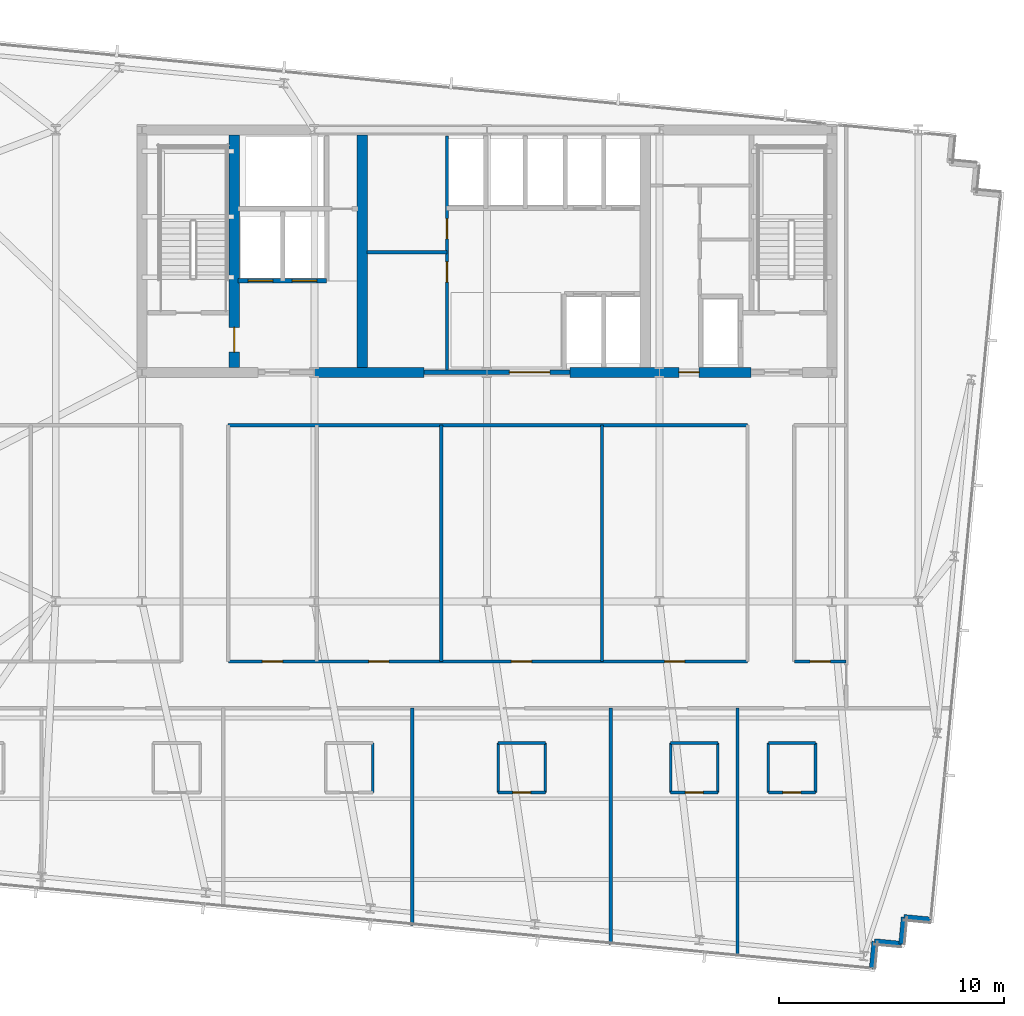
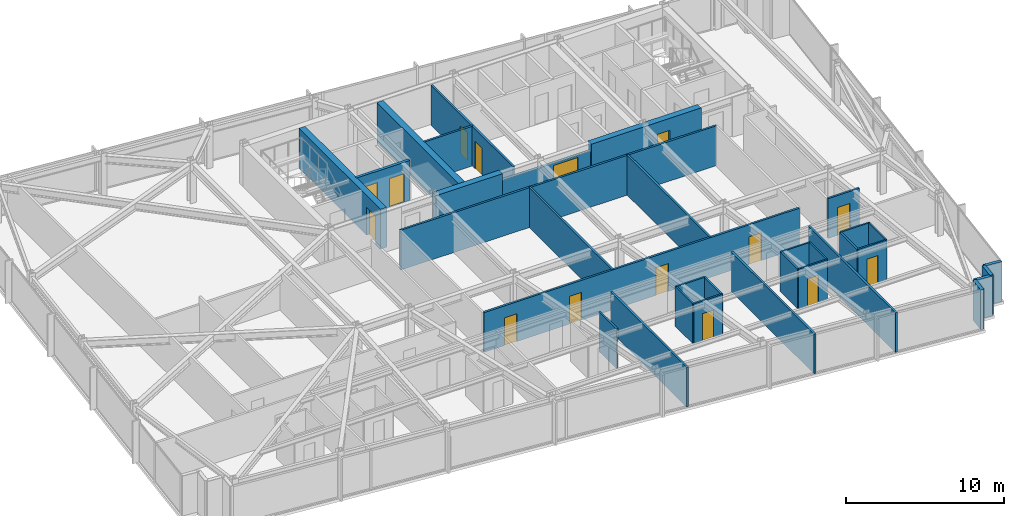
# One storey, part 30 of 38: 33 walls, 15 doors, 15 openings.
"""IFC4 building model written with IfcOpenShell, lengths in metres."""

from ifc_helpers import new_model, si_unit, direction, frame, frame_2d, origin, place, context, subcontext, project, spatial, rectangle, extrude, material, layer, layer_set, type_object, element, fill, save


model = new_model("IFC4")

# Units and contexts
model_context = context("Model", 3, precision=1e-05, world=origin(), true_north=direction((0.0, 1.0)))
body_context = subcontext(model_context, "Body", "Model", "MODEL_VIEW")
ifc_project = project(units=[si_unit("LENGTHUNIT", "METRE"), si_unit("AREAUNIT", "SQUARE_METRE"), si_unit("VOLUMEUNIT", "CUBIC_METRE"), si_unit("PLANEANGLEUNIT", "RADIAN"), si_unit("MASSUNIT", "GRAM", prefix="KILO")], contexts=[model_context])

# Site, building, storey
site_placement = place(None, origin())
site = spatial("IfcSite", under=ifc_project, at=site_placement, CompositionType="ELEMENT")
building_placement = place(site_placement, origin())
building = spatial("IfcBuilding", under=site, at=building_placement, Name="Yelkora Congress Tower", CompositionType="ELEMENT")
storey_placement = place(building_placement, frame((0.0, 0.0, 185.300048828125)))
storey = spatial("IfcBuildingStorey", under=building, at=storey_placement, Name="L51", CompositionType="ELEMENT", Elevation=185.300048828125)

# Wall
ifc_material_1 = material(Name="Concrete C60/75", Category="concrete")
ifc_layer_1 = layer(ifc_material_1, 0.449951171875)
ifc_layer_set_1 = layer_set([ifc_layer_1], Name="Concrete C60/75")
wall_type_1 = type_object("IfcWallType", Name="WALL-CORE-INT-450", PredefinedType="SHEAR", material=ifc_layer_set_1)
wall_1_placement = place(storey_placement, frame((30.719970703125, 35.39990234375, 0.0), z_axis=(0.0, 0.0, 1.0), x_axis=(1.0, 0.0, 0.0)))
element("IfcWall", 1, at=wall_1_placement, inside=storey, type_object=wall_type_1, Name="L51 Rear Core South-Center Shear Pier", PredefinedType="SHEAR", context=body_context, shape_type="SweptSolid", body=[
    extrude(rectangle(XDim=4.880126953125, YDim=0.449951171875, at=frame_2d((2.43994140625, 0.0))), origin(), (0.0, 0.0, 1.0), 3.079833984375),
])

# Wall, opening, door
wall_2_placement = place(storey_placement, frame((42.10009765625, 35.39990234375, 0.0), z_axis=(0.0, 0.0, 1.0), x_axis=(1.0, 0.0, 0.0)))
wall_2 = element("IfcWall", 2, at=wall_2_placement, inside=storey, type_object=wall_type_1, Name="L51 Rear Core South-East Shear Wall A", PredefinedType="SHEAR", context=body_context, shape_type="SweptSolid", body=[
    extrude(rectangle(XDim=8.0498046875, YDim=0.449951171875, at=frame_2d((4.02490234375, 0.0))), origin(), (0.0, 0.0, 1.0), 3.079833984375),
])
opening_1_placement = place(wall_2_placement, frame((4.85009765625, 0.0, 0.0)))
opening_1 = element("IfcOpeningElement", 3, at=opening_1_placement, cuts=wall_2, Name="Opening DR-090F6", PredefinedType="OPENING", context=body_context, shape_type="SweptSolid", body=[
    extrude(rectangle(XDim=0.89990234375, YDim=2.14990234375, at=frame_2d((0.449951171875, 1.074951171875))), frame((0.0, 0.23486328125, 0.0), z_axis=(0.0, -1.0, 0.0), x_axis=(1.0, 0.0, 0.0)), (0.0, 0.0, 1.0), 0.469970703125),
])
ifc_material_2 = material(Name="Painted steel riser fire door leaf", Category="steel")
door_type_1 = type_object("IfcDoorType", Name="DOOR-FD60-900", OperationType="NOTDEFINED", PredefinedType="DOOR", material=ifc_material_2)
door_1_placement = place(opening_1_placement, origin())
door_1 = element("IfcDoor", 4, at=door_1_placement, inside=storey, type_object=door_type_1, Name="L51 Core Washroom Lobby Door", OperationType="SINGLE_SWING_RIGHT", OverallHeight=2.14990234375, OverallWidth=0.89990234375, PredefinedType="DOOR", context=body_context, shape_type="SweptSolid", body=[
    extrude(rectangle(XDim=0.89990234375, YDim=2.14990234375, at=frame_2d((0.449951171875, 1.074951171875))), frame((0.0, 0.02490234375, 0.0), z_axis=(0.0, -1.0, 0.0), x_axis=(1.0, 0.0, 0.0)), (0.0, 0.0, 1.0), 0.050048828125),
])
fill(opening_1, door_1)

wall_3_placement = place(storey_placement, frame((27.14990234375, 35.625, 0.0), z_axis=(0.0, 0.0, 1.0), x_axis=(0.0, 1.0, 0.0)))
wall_3 = element("IfcWall", 5, at=wall_3_placement, inside=storey, type_object=wall_type_1, Name="L51 Rear Core Cross Shear Wall C1", PredefinedType="SHEAR", context=body_context, shape_type="SweptSolid", body=[
    extrude(rectangle(XDim=10.35009765625, YDim=0.449951171875, at=frame_2d((5.175048828125, 0.0))), origin(), (0.0, 0.0, 1.0), 3.079833984375),
])
opening_2_placement = place(wall_3_placement, frame((0.675048828125, 0.0, 0.0)))
opening_2 = element("IfcOpeningElement", 6, at=opening_2_placement, cuts=wall_3, Name="Opening DR-110F9", PredefinedType="OPENING", context=body_context, shape_type="SweptSolid", body=[
    extrude(rectangle(XDim=1.10009765625, YDim=2.14990234375, at=frame_2d((0.550048828125, 1.074951171875))), frame((0.0, 0.23486328125, 0.0), z_axis=(0.0, -1.0, 0.0), x_axis=(1.0, 0.0, 0.0)), (0.0, 0.0, 1.0), 0.469970703125),
])
ifc_material_3 = material(Name="Galvanised steel fire door leaf", Category="steel")
door_type_2 = type_object("IfcDoorType", Name="DOOR-FD90-1100", OperationType="NOTDEFINED", PredefinedType="DOOR", material=ifc_material_3)
door_2_placement = place(opening_2_placement, origin())
door_2 = element("IfcDoor", 7, at=door_2_placement, inside=storey, type_object=door_type_2, Name="L51 Firefighting Stair Transfer Door", OperationType="SINGLE_SWING_LEFT", OverallHeight=2.14990234375, OverallWidth=1.10009765625, PredefinedType="DOOR", context=body_context, shape_type="SweptSolid", body=[
    extrude(rectangle(XDim=1.10009765625, YDim=2.14990234375, at=frame_2d((0.550048828125, 1.074951171875))), frame((0.0, 0.02490234375, 0.0), z_axis=(0.0, -1.0, 0.0), x_axis=(1.0, 0.0, 0.0)), (0.0, 0.0, 1.0), 0.050048828125),
])
fill(opening_2, door_2)

# Walls
wall_4_placement = place(storey_placement, frame((32.85009765625, 35.625, 0.0), z_axis=(0.0, 0.0, 1.0), x_axis=(0.0, 1.0, 0.0)))
element("IfcWall", 8, at=wall_4_placement, inside=storey, type_object=wall_type_1, Name="L51 Rear Core Cross Shear Wall C2", PredefinedType="SHEAR", context=body_context, shape_type="SweptSolid", body=[
    extrude(rectangle(XDim=10.35009765625, YDim=0.449951171875, at=frame_2d((5.175048828125, 0.0))), origin(), (0.0, 0.0, 1.0), 3.079833984375),
])
ifc_material_4 = material(Name="Concrete C40/50", Category="concrete")
ifc_layer_2 = layer(ifc_material_4, 0.239990234375)
ifc_layer_set_2 = layer_set([ifc_layer_2], Name="Concrete C40/50")
wall_type_2 = type_object("IfcWallType", Name="WALL-EXT-LIMESTONE-240", PredefinedType="SOLIDWALL", material=ifc_layer_set_2)
wall_5_placement = place(storey_placement, frame((58.160400390625, 11.033203125, 0.0), z_axis=(0.0, 0.0, 1.0), x_axis=(-0.995398960025, 0.095817067274, 0.0)))
element("IfcWall", 9, at=wall_5_placement, inside=storey, type_object=wall_type_2, Name="L51 Serrated Corner Limestone Pier 16", PredefinedType="SOLIDWALL", context=body_context, shape_type="SweptSolid", body=[
    extrude(rectangle(XDim=1.2001953125, YDim=0.239990234375, at=frame_2d((0.60009765625, 0.0))), origin(), (0.0, 0.0, 1.0), 3.079833984375),
])
for number, where, z_axis, x_axis, name in (
    (10, (56.9658203125, 11.148193359375, 0.0), (0.0, 0.0, 1.0), (-0.095836473879, -0.995397091755, 0.0), "L51 Serrated Corner Limestone Pier 17"),
    (11, (56.850830078125, 9.953857421875, 0.0), (0.0, 0.0, 1.0), (-0.995397091755, 0.095836473879, 0.0), "L51 Serrated Corner Limestone Pier 18"),
):
    element("IfcWall", number, at=place(storey_placement, frame(where, z_axis=z_axis, x_axis=x_axis)), inside=storey, type_object=wall_type_2, Name=name, PredefinedType="SOLIDWALL", context=body_context, shape_type="SweptSolid", body=[
        extrude(rectangle(XDim=1.199951171875, YDim=0.239990234375, at=frame_2d((0.60009765625, 0.0))), origin(), (0.0, 0.0, 1.0), 3.079833984375),
    ])
wall_6_placement = place(storey_placement, frame((55.656494140625, 10.06884765625, 0.0), z_axis=(0.0, 0.0, 1.0), x_axis=(-0.095817067274, -0.995398960025, 0.0)))
element("IfcWall", 12, at=wall_6_placement, inside=storey, type_object=wall_type_2, Name="L51 Serrated Corner Limestone Pier 19", PredefinedType="SOLIDWALL", context=body_context, shape_type="SweptSolid", body=[
    extrude(rectangle(XDim=1.2001953125, YDim=0.239990234375, at=frame_2d((0.60009765625, 0.0))), origin(), (0.0, 0.0, 1.0), 3.079833984375),
])
ifc_material_5 = material(Name="Moisture-resistant gypsum partition", Category="gypsum")
ifc_layer_3 = layer(ifc_material_5, 0.1201171875)
ifc_layer_set_3 = layer_set([ifc_layer_3], Name="Moisture-resistant gypsum partition")
wall_type_3 = type_object("IfcWallType", Name="WALL-INT-120-NR", PredefinedType="PARTITIONING", material=ifc_layer_set_3)
wall_7_placement = place(storey_placement, frame((33.320068359375, 16.699951171875, 0.0), z_axis=(0.0, 0.0, 1.0), x_axis=(0.0, 1.0, 0.0)))
element("IfcWall", 13, at=wall_7_placement, inside=storey, type_object=wall_type_3, Name="L51 Partition Wall 43", PredefinedType="PARTITIONING", context=body_context, shape_type="SweptSolid", body=[
    extrude(rectangle(XDim=2.199951171875, YDim=0.1201171875, at=frame_2d((1.10009765625, 0.0))), origin(), (0.0, 0.0, 1.0), 3.079833984375),
])
wall_8_placement = place(storey_placement, frame((38.89990234375, 18.89990234375, 0.0), z_axis=(0.0, 0.0, 1.0), x_axis=(1.0, 0.0, 0.0)))
element("IfcWall", 14, at=wall_8_placement, inside=storey, type_object=wall_type_3, Name="L51 Partition Wall 46", PredefinedType="PARTITIONING", context=body_context, shape_type="SweptSolid", body=[
    extrude(rectangle(XDim=2.10009765625, YDim=0.1201171875, at=frame_2d((1.050048828125, 0.0))), origin(), (0.0, 0.0, 1.0), 3.079833984375),
])
for number, where, z_axis, x_axis, name in (
    (15, (38.89990234375, 16.699951171875, 0.0), (0.0, 0.0, 1.0), (0.0, 1.0, 0.0), "L51 Partition Wall 47"),
    (16, (41.0, 16.699951171875, 0.0), (0.0, 0.0, 1.0), (0.0, 1.0, 0.0), "L51 Partition Wall 48"),
):
    element("IfcWall", number, at=place(storey_placement, frame(where, z_axis=z_axis, x_axis=x_axis)), inside=storey, type_object=wall_type_3, Name=name, PredefinedType="PARTITIONING", context=body_context, shape_type="SweptSolid", body=[
        extrude(rectangle(XDim=2.199951171875, YDim=0.1201171875, at=frame_2d((1.10009765625, 0.0))), origin(), (0.0, 0.0, 1.0), 3.079833984375),
    ])

# Wall, opening, door
wall_9_placement = place(storey_placement, frame((38.89990234375, 16.699951171875, 0.0), z_axis=(0.0, 0.0, 1.0), x_axis=(1.0, 0.0, 0.0)))
wall_9 = element("IfcWall", 17, at=wall_9_placement, inside=storey, type_object=wall_type_3, Name="L51 Partition Wall 49", PredefinedType="PARTITIONING", context=body_context, shape_type="SweptSolid", body=[
    extrude(rectangle(XDim=2.10009765625, YDim=0.1201171875, at=frame_2d((1.050048828125, 0.0))), origin(), (0.0, 0.0, 1.0), 3.079833984375),
])
opening_3_placement = place(wall_9_placement, frame((0.64990234375, 0.0, 0.0)))
opening_3 = element("IfcOpeningElement", 18, at=opening_3_placement, cuts=wall_9, Name="Opening DR-080B", PredefinedType="OPENING", context=body_context, shape_type="SweptSolid", body=[
    extrude(rectangle(XDim=0.800048828125, YDim=2.10009765625, at=frame_2d((0.39990234375, 1.050048828125))), frame((0.0, 0.070068359375, 0.0), z_axis=(0.0, -1.0, 0.0), x_axis=(1.0, 0.0, 0.0)), (0.0, 0.0, 1.0), 0.14013671875),
])
ifc_material_6 = material(Name="Moisture-sealed en-suite timber door", Category="wood")
door_type_3 = type_object("IfcDoorType", Name="DOOR-BATH-800", OperationType="NOTDEFINED", PredefinedType="DOOR", material=ifc_material_6)
door_3_placement = place(opening_3_placement, origin())
door_3 = element("IfcDoor", 19, at=door_3_placement, inside=storey, type_object=door_type_3, Name="L51 En-suite Door 5", OperationType="SINGLE_SWING_LEFT", OverallHeight=2.10009765625, OverallWidth=0.800048828125, PredefinedType="DOOR", context=body_context, shape_type="SweptSolid", body=[
    extrude(rectangle(XDim=0.800048828125, YDim=2.10009765625, at=frame_2d((0.39990234375, 1.050048828125))), frame((0.0, 0.02490234375, 0.0), z_axis=(0.0, -1.0, 0.0), x_axis=(1.0, 0.0, 0.0)), (0.0, 0.0, 1.0), 0.050048828125),
])
fill(opening_3, door_3)

# Walls
wall_10_placement = place(storey_placement, frame((46.580078125, 18.89990234375, 0.0), z_axis=(0.0, 0.0, 1.0), x_axis=(1.0, 0.0, 0.0)))
element("IfcWall", 20, at=wall_10_placement, inside=storey, type_object=wall_type_3, Name="L51 Partition Wall 51", PredefinedType="PARTITIONING", context=body_context, shape_type="SweptSolid", body=[
    extrude(rectangle(XDim=2.099853515625, YDim=0.1201171875, at=frame_2d((1.0498046875, 0.0))), origin(), (0.0, 0.0, 1.0), 3.079833984375),
])
for number, where, z_axis, x_axis, name in (
    (21, (46.580078125, 16.699951171875, 0.0), (0.0, 0.0, 1.0), (0.0, 1.0, 0.0), "L51 Partition Wall 52"),
    (22, (48.679931640625, 16.699951171875, 0.0), (0.0, 0.0, 1.0), (0.0, 1.0, 0.0), "L51 Partition Wall 53"),
):
    element("IfcWall", number, at=place(storey_placement, frame(where, z_axis=z_axis, x_axis=x_axis)), inside=storey, type_object=wall_type_3, Name=name, PredefinedType="PARTITIONING", context=body_context, shape_type="SweptSolid", body=[
        extrude(rectangle(XDim=2.199951171875, YDim=0.1201171875, at=frame_2d((1.10009765625, 0.0))), origin(), (0.0, 0.0, 1.0), 3.079833984375),
    ])

# Wall, opening, door
wall_11_placement = place(storey_placement, frame((46.580078125, 16.699951171875, 0.0), z_axis=(0.0, 0.0, 1.0), x_axis=(1.0, 0.0, 0.0)))
wall_11 = element("IfcWall", 23, at=wall_11_placement, inside=storey, type_object=wall_type_3, Name="L51 Partition Wall 54", PredefinedType="PARTITIONING", context=body_context, shape_type="SweptSolid", body=[
    extrude(rectangle(XDim=2.099853515625, YDim=0.1201171875, at=frame_2d((1.0498046875, 0.0))), origin(), (0.0, 0.0, 1.0), 3.079833984375),
])
opening_4_placement = place(wall_11_placement, frame((0.64990234375, 0.0, 0.0)))
opening_4 = element("IfcOpeningElement", 24, at=opening_4_placement, cuts=wall_11, Name="Opening DR-080B", PredefinedType="OPENING", context=body_context, shape_type="SweptSolid", body=[
    extrude(rectangle(XDim=0.800048828125, YDim=2.10009765625, at=frame_2d((0.39990234375, 1.050048828125))), frame((0.0, 0.070068359375, 0.0), z_axis=(0.0, -1.0, 0.0), x_axis=(1.0, 0.0, 0.0)), (0.0, 0.0, 1.0), 0.14013671875),
])
door_4_placement = place(opening_4_placement, origin())
door_4 = element("IfcDoor", 25, at=door_4_placement, inside=storey, type_object=door_type_3, Name="L51 En-suite Door 6", OperationType="SINGLE_SWING_RIGHT", OverallHeight=2.10009765625, OverallWidth=0.800048828125, PredefinedType="DOOR", context=body_context, shape_type="SweptSolid", body=[
    extrude(rectangle(XDim=0.800048828125, YDim=2.10009765625, at=frame_2d((0.39990234375, 1.050048828125))), frame((0.0, 0.02490234375, 0.0), z_axis=(0.0, -1.0, 0.0), x_axis=(1.0, 0.0, 0.0)), (0.0, 0.0, 1.0), 0.050048828125),
])
fill(opening_4, door_4)

# Walls
wall_12_placement = place(storey_placement, frame((50.927001953125, 18.89990234375, 0.0), z_axis=(0.0, 0.0, 1.0), x_axis=(1.0, 0.0, 0.0)))
element("IfcWall", 26, at=wall_12_placement, inside=storey, type_object=wall_type_3, Name="L51 Partition Wall 56", PredefinedType="PARTITIONING", context=body_context, shape_type="SweptSolid", body=[
    extrude(rectangle(XDim=2.10009765625, YDim=0.1201171875, at=frame_2d((1.050048828125, 0.0))), origin(), (0.0, 0.0, 1.0), 3.079833984375),
])
for number, where, z_axis, x_axis, name in (
    (27, (50.927001953125, 16.699951171875, 0.0), (0.0, 0.0, 1.0), (0.0, 1.0, 0.0), "L51 Partition Wall 57"),
    (28, (53.027099609375, 16.699951171875, 0.0), (0.0, 0.0, 1.0), (0.0, 1.0, 0.0), "L51 Partition Wall 58"),
):
    element("IfcWall", number, at=place(storey_placement, frame(where, z_axis=z_axis, x_axis=x_axis)), inside=storey, type_object=wall_type_3, Name=name, PredefinedType="PARTITIONING", context=body_context, shape_type="SweptSolid", body=[
        extrude(rectangle(XDim=2.199951171875, YDim=0.1201171875, at=frame_2d((1.10009765625, 0.0))), origin(), (0.0, 0.0, 1.0), 3.079833984375),
    ])

# Wall, opening, door
wall_13_placement = place(storey_placement, frame((50.927001953125, 16.699951171875, 0.0), z_axis=(0.0, 0.0, 1.0), x_axis=(1.0, 0.0, 0.0)))
wall_13 = element("IfcWall", 29, at=wall_13_placement, inside=storey, type_object=wall_type_3, Name="L51 Partition Wall 59", PredefinedType="PARTITIONING", context=body_context, shape_type="SweptSolid", body=[
    extrude(rectangle(XDim=2.10009765625, YDim=0.1201171875, at=frame_2d((1.050048828125, 0.0))), origin(), (0.0, 0.0, 1.0), 3.079833984375),
])
opening_5_placement = place(wall_13_placement, frame((0.64990234375, 0.0, 0.0)))
opening_5 = element("IfcOpeningElement", 30, at=opening_5_placement, cuts=wall_13, Name="Opening DR-080B", PredefinedType="OPENING", context=body_context, shape_type="SweptSolid", body=[
    extrude(rectangle(XDim=0.800048828125, YDim=2.10009765625, at=frame_2d((0.39990234375, 1.050048828125))), frame((0.0, 0.070068359375, 0.0), z_axis=(0.0, -1.0, 0.0), x_axis=(1.0, 0.0, 0.0)), (0.0, 0.0, 1.0), 0.14013671875),
])
door_5_placement = place(opening_5_placement, origin())
door_5 = element("IfcDoor", 31, at=door_5_placement, inside=storey, type_object=door_type_3, Name="L51 En-suite Door 7", OperationType="SINGLE_SWING_LEFT", OverallHeight=2.10009765625, OverallWidth=0.800048828125, PredefinedType="DOOR", context=body_context, shape_type="SweptSolid", body=[
    extrude(rectangle(XDim=0.800048828125, YDim=2.10009765625, at=frame_2d((0.39990234375, 1.050048828125))), frame((0.0, 0.02490234375, 0.0), z_axis=(0.0, -1.0, 0.0), x_axis=(1.0, 0.0, 0.0)), (0.0, 0.0, 1.0), 0.050048828125),
])
fill(opening_5, door_5)

# Walls
ifc_material_7 = material(Name="Acoustic metal-stud gypsum partition", Category="gypsum")
ifc_layer_4 = layer(ifc_material_7, 0.14990234375)
ifc_layer_set_4 = layer_set([ifc_layer_4], Name="Acoustic metal-stud gypsum partition")
wall_type_4 = type_object("IfcWallType", Name="WALL-INT-150-NR", PredefinedType="PARTITIONING", material=ifc_layer_set_4)
wall_14_placement = place(storey_placement, frame((26.8798828125, 33.050048828125, 0.0), z_axis=(0.0, 0.0, 1.0), x_axis=(1.0, 0.0, 0.0)))
element("IfcWall", 32, at=wall_14_placement, inside=storey, type_object=wall_type_4, Name="L51 Partition Wall 69", PredefinedType="PARTITIONING", context=body_context, shape_type="SweptSolid", body=[
    extrude(rectangle(XDim=23.1201171875, YDim=0.14990234375, at=frame_2d((11.56005859375, 0.0))), origin(), (0.0, 0.0, 1.0), 3.079833984375),
])
for number, where, z_axis, x_axis, name in (
    (33, (36.361083984375, 22.530029296875, 0.0), (0.0, 0.0, 1.0), (0.0, 1.0, 0.0), "L51 Partition Wall 75"),
    (34, (43.52197265625, 22.530029296875, 0.0), (0.0, 0.0, 1.0), (0.0, 1.0, 0.0), "L51 Partition Wall 76"),
):
    element("IfcWall", number, at=place(storey_placement, frame(where, z_axis=z_axis, x_axis=x_axis)), inside=storey, type_object=wall_type_4, Name=name, PredefinedType="PARTITIONING", context=body_context, shape_type="SweptSolid", body=[
        extrude(rectangle(XDim=10.52001953125, YDim=0.14990234375, at=frame_2d((5.260009765625, 0.0))), origin(), (0.0, 0.0, 1.0), 3.079833984375),
    ])

# Wall, openings, doors
wall_15_placement = place(storey_placement, frame((26.889892578125, 22.530029296875, 0.0), z_axis=(0.0, 0.0, 1.0), x_axis=(1.0, 0.0, 0.0)))
wall_15 = element("IfcWall", 35, at=wall_15_placement, inside=storey, type_object=wall_type_4, Name="L51 Partition Wall 77", PredefinedType="PARTITIONING", context=body_context, shape_type="SweptSolid", body=[
    extrude(rectangle(XDim=23.10009765625, YDim=0.14990234375, at=frame_2d((11.550048828125, 0.0))), origin(), (0.0, 0.0, 1.0), 3.079833984375),
])
opening_6_placement = place(wall_15_placement, frame((1.513427734375, 0.0, 0.0)))
opening_6 = element("IfcOpeningElement", 36, at=opening_6_placement, cuts=wall_15, Name="Opening DR-090N", PredefinedType="OPENING", context=body_context, shape_type="SweptSolid", body=[
    extrude(rectangle(XDim=0.89990234375, YDim=2.14990234375, at=frame_2d((0.449951171875, 1.074951171875))), frame((0.0, 0.0849609375, 0.0), z_axis=(0.0, -1.0, 0.0), x_axis=(1.0, 0.0, 0.0)), (0.0, 0.0, 1.0), 0.169921875),
])
opening_7_placement = place(wall_15_placement, frame((6.2490234375, 0.0, 0.0)))
opening_7 = element("IfcOpeningElement", 37, at=opening_7_placement, cuts=wall_15, Name="Opening DR-090N", PredefinedType="OPENING", context=body_context, shape_type="SweptSolid", body=[
    extrude(rectangle(XDim=0.89990234375, YDim=2.14990234375, at=frame_2d((0.449951171875, 1.074951171875))), frame((0.0, 0.0849609375, 0.0), z_axis=(0.0, -1.0, 0.0), x_axis=(1.0, 0.0, 0.0)), (0.0, 0.0, 1.0), 0.169921875),
])
opening_8_placement = place(wall_15_placement, frame((12.6015625, 0.0, 0.0)))
opening_8 = element("IfcOpeningElement", 38, at=opening_8_placement, cuts=wall_15, Name="Opening DR-090N", PredefinedType="OPENING", context=body_context, shape_type="SweptSolid", body=[
    extrude(rectangle(XDim=0.89990234375, YDim=2.14990234375, at=frame_2d((0.449951171875, 1.074951171875))), frame((0.0, 0.0849609375, 0.0), z_axis=(0.0, -1.0, 0.0), x_axis=(1.0, 0.0, 0.0)), (0.0, 0.0, 1.0), 0.169921875),
])
opening_9_placement = place(wall_15_placement, frame((19.416015625, 0.0, 0.0)))
opening_9 = element("IfcOpeningElement", 39, at=opening_9_placement, cuts=wall_15, Name="Opening DR-090N", PredefinedType="OPENING", context=body_context, shape_type="SweptSolid", body=[
    extrude(rectangle(XDim=0.89990234375, YDim=2.14990234375, at=frame_2d((0.449951171875, 1.074951171875))), frame((0.0, 0.0849609375, 0.0), z_axis=(0.0, -1.0, 0.0), x_axis=(1.0, 0.0, 0.0)), (0.0, 0.0, 1.0), 0.169921875),
])
ifc_material_8 = material(Name="Moisture-resistant laminate door leaf", Category="wood")
door_type_4 = type_object("IfcDoorType", Name="DOOR-INT-900", OperationType="NOTDEFINED", PredefinedType="DOOR", material=ifc_material_8)
door_6_placement = place(opening_6_placement, origin())
door_6 = element("IfcDoor", 40, at=door_6_placement, inside=storey, type_object=door_type_4, Name="L51 Executive Study Office Door", OperationType="SINGLE_SWING_RIGHT", OverallHeight=2.14990234375, OverallWidth=0.89990234375, PredefinedType="DOOR", context=body_context, shape_type="SweptSolid", body=[
    extrude(rectangle(XDim=0.89990234375, YDim=2.14990234375, at=frame_2d((0.449951171875, 1.074951171875))), frame((0.0, 0.02490234375, 0.0), z_axis=(0.0, -1.0, 0.0), x_axis=(1.0, 0.0, 0.0)), (0.0, 0.0, 1.0), 0.050048828125),
])
fill(opening_6, door_6)
door_7_placement = place(opening_7_placement, origin())
door_7 = element("IfcDoor", 41, at=door_7_placement, inside=storey, type_object=door_type_4, Name="L51 Delegate Reading Lounge Door", OperationType="SINGLE_SWING_LEFT", OverallHeight=2.14990234375, OverallWidth=0.89990234375, PredefinedType="DOOR", context=body_context, shape_type="SweptSolid", body=[
    extrude(rectangle(XDim=0.89990234375, YDim=2.14990234375, at=frame_2d((0.449951171875, 1.074951171875))), frame((0.0, 0.02490234375, 0.0), z_axis=(0.0, -1.0, 0.0), x_axis=(1.0, 0.0, 0.0)), (0.0, 0.0, 1.0), 0.050048828125),
])
fill(opening_7, door_7)
door_8_placement = place(opening_8_placement, origin())
door_8 = element("IfcDoor", 42, at=door_8_placement, inside=storey, type_object=door_type_4, Name="L51 Seminar Briefing Room Door", OperationType="SINGLE_SWING_RIGHT", OverallHeight=2.14990234375, OverallWidth=0.89990234375, PredefinedType="DOOR", context=body_context, shape_type="SweptSolid", body=[
    extrude(rectangle(XDim=0.89990234375, YDim=2.14990234375, at=frame_2d((0.449951171875, 1.074951171875))), frame((0.0, 0.02490234375, 0.0), z_axis=(0.0, -1.0, 0.0), x_axis=(1.0, 0.0, 0.0)), (0.0, 0.0, 1.0), 0.050048828125),
])
fill(opening_8, door_8)
door_9_placement = place(opening_9_placement, origin())
door_9 = element("IfcDoor", 43, at=door_9_placement, inside=storey, type_object=door_type_4, Name="L51 Executive Study Office Door", OperationType="SINGLE_SWING_LEFT", OverallHeight=2.14990234375, OverallWidth=0.89990234375, PredefinedType="DOOR", context=body_context, shape_type="SweptSolid", body=[
    extrude(rectangle(XDim=0.89990234375, YDim=2.14990234375, at=frame_2d((0.449951171875, 1.074951171875))), frame((0.0, 0.02490234375, 0.0), z_axis=(0.0, -1.0, 0.0), x_axis=(1.0, 0.0, 0.0)), (0.0, 0.0, 1.0), 0.050048828125),
])
fill(opening_9, door_9)

# Wall, opening, door
wall_16_placement = place(storey_placement, frame((52.090087890625, 22.530029296875, 0.0), z_axis=(0.0, 0.0, 1.0), x_axis=(1.0, 0.0, 0.0)))
wall_16 = element("IfcWall", 44, at=wall_16_placement, inside=storey, type_object=wall_type_4, Name="L51 Partition Wall 78", PredefinedType="PARTITIONING", context=body_context, shape_type="SweptSolid", body=[
    extrude(rectangle(XDim=2.289794921875, YDim=0.14990234375, at=frame_2d((1.14501953125, 0.0))), origin(), (0.0, 0.0, 1.0), 3.079833984375),
])
opening_10_placement = place(wall_16_placement, frame((0.695068359375, 0.0, 0.0)))
opening_10 = element("IfcOpeningElement", 45, at=opening_10_placement, cuts=wall_16, Name="Opening DR-090N", PredefinedType="OPENING", context=body_context, shape_type="SweptSolid", body=[
    extrude(rectangle(XDim=0.89990234375, YDim=2.14990234375, at=frame_2d((0.449951171875, 1.074951171875))), frame((0.0, 0.0849609375, 0.0), z_axis=(0.0, -1.0, 0.0), x_axis=(1.0, 0.0, 0.0)), (0.0, 0.0, 1.0), 0.169921875),
])
door_10_placement = place(opening_10_placement, origin())
door_10 = element("IfcDoor", 46, at=door_10_placement, inside=storey, type_object=door_type_4, Name="L51 Delegate Reading Lounge Door", OperationType="SINGLE_SWING_RIGHT", OverallHeight=2.14990234375, OverallWidth=0.89990234375, PredefinedType="DOOR", context=body_context, shape_type="SweptSolid", body=[
    extrude(rectangle(XDim=0.89990234375, YDim=2.14990234375, at=frame_2d((0.449951171875, 1.074951171875))), frame((0.0, 0.02490234375, 0.0), z_axis=(0.0, -1.0, 0.0), x_axis=(1.0, 0.0, 0.0)), (0.0, 0.0, 1.0), 0.050048828125),
])
fill(opening_10, door_10)

# Wall
ifc_material_9 = material(Name="Twin-stud fire-rated gypsum partition", Category="gypsum")
ifc_layer_5 = layer(ifc_material_9, 0.14990234375)
ifc_layer_set_5 = layer_set([ifc_layer_5], Name="Twin-stud fire-rated gypsum partition")
wall_type_5 = type_object("IfcWallType", Name="WALL-INT-150-R60", PredefinedType="PARTITIONING", material=ifc_layer_set_5)
wall_17_placement = place(storey_placement, frame((33.050048828125, 40.75, 0.0), z_axis=(0.0, 0.0, 1.0), x_axis=(1.0, 0.0, 0.0)))
element("IfcWall", 47, at=wall_17_placement, inside=storey, type_object=wall_type_5, Name="L51 Partition Wall 11", PredefinedType="PARTITIONING", context=body_context, shape_type="SweptSolid", body=[
    extrude(rectangle(XDim=3.570068359375, YDim=0.14990234375, at=frame_2d((1.78515625, 0.0))), origin(), (0.0, 0.0, 1.0), 3.079833984375),
])

# Wall, openings, doors
wall_18_placement = place(storey_placement, frame((36.6201171875, 35.5, 0.0), z_axis=(0.0, 0.0, 1.0), x_axis=(0.0, 1.0, 0.0)))
wall_18 = element("IfcWall", 48, at=wall_18_placement, inside=storey, type_object=wall_type_5, Name="L51 Partition Wall 12", PredefinedType="PARTITIONING", context=body_context, shape_type="SweptSolid", body=[
    extrude(rectangle(XDim=10.419921875, YDim=0.14990234375, at=frame_2d((5.2099609375, 0.0))), origin(), (0.0, 0.0, 1.0), 3.079833984375),
])
opening_11_placement = place(wall_18_placement, frame((3.919921875, 0.0, 0.0)))
opening_11 = element("IfcOpeningElement", 49, at=opening_11_placement, cuts=wall_18, Name="Opening DR-090F6", PredefinedType="OPENING", context=body_context, shape_type="SweptSolid", body=[
    extrude(rectangle(XDim=0.89990234375, YDim=2.14990234375, at=frame_2d((0.449951171875, 1.074951171875))), frame((0.0, 0.0849609375, 0.0), z_axis=(0.0, -1.0, 0.0), x_axis=(1.0, 0.0, 0.0)), (0.0, 0.0, 1.0), 0.169921875),
])
opening_12_placement = place(wall_18_placement, frame((5.85009765625, 0.0, 0.0)))
opening_12 = element("IfcOpeningElement", 50, at=opening_12_placement, cuts=wall_18, Name="Opening DR-090F6", PredefinedType="OPENING", context=body_context, shape_type="SweptSolid", body=[
    extrude(rectangle(XDim=0.89990234375, YDim=2.14990234375, at=frame_2d((0.449951171875, 1.074951171875))), frame((0.0, 0.0849609375, 0.0), z_axis=(0.0, -1.0, 0.0), x_axis=(1.0, 0.0, 0.0)), (0.0, 0.0, 1.0), 0.169921875),
])
door_11_placement = place(opening_11_placement, origin())
door_11 = element("IfcDoor", 51, at=door_11_placement, inside=storey, type_object=door_type_1, Name="L51 Telecom Store Door", OperationType="SINGLE_SWING_LEFT", OverallHeight=2.14990234375, OverallWidth=0.89990234375, PredefinedType="DOOR", context=body_context, shape_type="SweptSolid", body=[
    extrude(rectangle(XDim=0.89990234375, YDim=2.14990234375, at=frame_2d((0.449951171875, 1.074951171875))), frame((0.0, 0.02490234375, 0.0), z_axis=(0.0, -1.0, 0.0), x_axis=(1.0, 0.0, 0.0)), (0.0, 0.0, 1.0), 0.050048828125),
])
fill(opening_11, door_11)
door_12_placement = place(opening_12_placement, origin())
door_12 = element("IfcDoor", 52, at=door_12_placement, inside=storey, type_object=door_type_1, Name="L51 Archive Store Door", OperationType="SINGLE_SWING_RIGHT", OverallHeight=2.14990234375, OverallWidth=0.89990234375, PredefinedType="DOOR", context=body_context, shape_type="SweptSolid", body=[
    extrude(rectangle(XDim=0.89990234375, YDim=2.14990234375, at=frame_2d((0.449951171875, 1.074951171875))), frame((0.0, 0.02490234375, 0.0), z_axis=(0.0, -1.0, 0.0), x_axis=(1.0, 0.0, 0.0)), (0.0, 0.0, 1.0), 0.050048828125),
])
fill(opening_12, door_12)

# Walls
wall_19_placement = place(storey_placement, frame((35.070068359375, 10.78515625, 0.0), z_axis=(0.0, 0.0, 1.0), x_axis=(0.0, 1.0, 0.0)))
element("IfcWall", 53, at=wall_19_placement, inside=storey, type_object=wall_type_5, Name="L51 Partition Wall 50", PredefinedType="PARTITIONING", context=body_context, shape_type="SweptSolid", body=[
    extrude(rectangle(XDim=9.684814453125, YDim=0.14990234375, at=frame_2d((4.84228515625, 0.0))), origin(), (0.0, 0.0, 1.0), 3.079833984375),
])
wall_20_placement = place(storey_placement, frame((43.906005859375, 9.934326171875, 0.0), z_axis=(0.0, 0.0, 1.0), x_axis=(0.0, 1.0, 0.0)))
element("IfcWall", 54, at=wall_20_placement, inside=storey, type_object=wall_type_5, Name="L51 Partition Wall 55", PredefinedType="PARTITIONING", context=body_context, shape_type="SweptSolid", body=[
    extrude(rectangle(XDim=10.53564453125, YDim=0.14990234375, at=frame_2d((5.267822265625, 0.0))), origin(), (0.0, 0.0, 1.0), 3.079833984375),
])
wall_21_placement = place(storey_placement, frame((49.552978515625, 9.390625, 0.0), z_axis=(0.0, 0.0, 1.0), x_axis=(0.0, 1.0, 0.0)))
element("IfcWall", 55, at=wall_21_placement, inside=storey, type_object=wall_type_5, Name="L51 Partition Wall 60", PredefinedType="PARTITIONING", context=body_context, shape_type="SweptSolid", body=[
    extrude(rectangle(XDim=11.079345703125, YDim=0.14990234375, at=frame_2d((5.53955078125, 0.0))), origin(), (0.0, 0.0, 1.0), 3.079833984375),
])

# Wall, openings, doors
ifc_material_10 = material(Name="Autoclaved aerated concrete blockwork", Category="masonry")
ifc_layer_6 = layer(ifc_material_10, 0.199951171875)
ifc_layer_set_6 = layer_set([ifc_layer_6], Name="Autoclaved aerated concrete blockwork")
wall_type_6 = type_object("IfcWallType", Name="WALL-INT-200-R120", PredefinedType="PARTITIONING", material=ifc_layer_set_6)
wall_22_placement = place(storey_placement, frame((27.320068359375, 39.47998046875, 0.0), z_axis=(0.0, 0.0, 1.0), x_axis=(1.0, 0.0, 0.0)))
wall_22 = element("IfcWall", 56, at=wall_22_placement, inside=storey, type_object=wall_type_6, Name="L51 Firefighting Lift Front Wall", PredefinedType="PARTITIONING", context=body_context, shape_type="SweptSolid", body=[
    extrude(rectangle(XDim=3.93994140625, YDim=0.199951171875, at=frame_2d((1.969970703125, 0.0))), origin(), (0.0, 0.0, 1.0), 3.079833984375),
])
opening_13_placement = place(wall_22_placement, frame((0.449951171875, 0.0, 0.0)))
opening_13 = element("IfcOpeningElement", 57, at=opening_13_placement, cuts=wall_22, Name="Opening LD-FF11", PredefinedType="OPENING", context=body_context, shape_type="SweptSolid", body=[
    extrude(rectangle(XDim=1.10009765625, YDim=2.199951171875, at=frame_2d((0.550048828125, 1.10009765625))), frame((0.0, 0.10986328125, 0.0), z_axis=(0.0, -1.0, 0.0), x_axis=(1.0, 0.0, 0.0)), (0.0, 0.0, 1.0), 0.219970703125),
])
opening_14_placement = place(wall_22_placement, frame((2.409912109375, 0.0, 0.0)))
opening_14 = element("IfcOpeningElement", 58, at=opening_14_placement, cuts=wall_22, Name="Opening LD-FF11", PredefinedType="OPENING", context=body_context, shape_type="SweptSolid", body=[
    extrude(rectangle(XDim=1.10009765625, YDim=2.199951171875, at=frame_2d((0.550048828125, 1.10009765625))), frame((0.0, 0.10986328125, 0.0), z_axis=(0.0, -1.0, 0.0), x_axis=(1.0, 0.0, 0.0)), (0.0, 0.0, 1.0), 0.219970703125),
])
ifc_material_11 = material(Name="Brushed stainless steel 316L landing door", Category="steel")
door_type_5 = type_object("IfcDoorType", Name="DOOR-LIFT-FF-1100", OperationType="DOUBLE_DOOR_SLIDING", PredefinedType="DOOR", material=ifc_material_11)
door_13_placement = place(opening_13_placement, origin())
door_13 = element("IfcDoor", 59, at=door_13_placement, inside=storey, type_object=door_type_5, Name="Lift Landing Door LF-FF1 L51", OperationType="DOUBLE_DOOR_SLIDING", OverallHeight=2.199951171875, OverallWidth=1.10009765625, PredefinedType="DOOR", context=body_context, shape_type="SweptSolid", body=[
    extrude(rectangle(XDim=1.10009765625, YDim=2.199951171875, at=frame_2d((0.550048828125, 1.10009765625))), frame((0.0, 0.02490234375, 0.0), z_axis=(0.0, -1.0, 0.0), x_axis=(1.0, 0.0, 0.0)), (0.0, 0.0, 1.0), 0.050048828125),
])
fill(opening_13, door_13)
door_14_placement = place(opening_14_placement, origin())
door_14 = element("IfcDoor", 60, at=door_14_placement, inside=storey, type_object=door_type_5, Name="Lift Landing Door LF-FF2 L51", OperationType="DOUBLE_DOOR_SLIDING", OverallHeight=2.199951171875, OverallWidth=1.10009765625, PredefinedType="DOOR", context=body_context, shape_type="SweptSolid", body=[
    extrude(rectangle(XDim=1.10009765625, YDim=2.199951171875, at=frame_2d((0.550048828125, 1.10009765625))), frame((0.0, 0.02490234375, 0.0), z_axis=(0.0, -1.0, 0.0), x_axis=(1.0, 0.0, 0.0)), (0.0, 0.0, 1.0), 0.050048828125),
])
fill(opening_14, door_14)

# Wall, opening, door
wall_23_placement = place(storey_placement, frame((35.60009765625, 35.39990234375, 0.0), z_axis=(0.0, 0.0, 1.0), x_axis=(1.0, 0.0, 0.0)))
wall_23 = element("IfcWall", 61, at=wall_23_placement, inside=storey, type_object=wall_type_6, Name="L51 Main Lift Lobby South Portal Wall", PredefinedType="PARTITIONING", context=body_context, shape_type="SweptSolid", body=[
    extrude(rectangle(XDim=6.5, YDim=0.199951171875, at=frame_2d((3.25, 0.0))), origin(), (0.0, 0.0, 1.0), 2.474853515625),
])
opening_15_placement = place(wall_23_placement, frame((3.800048828125, 0.0, 0.0)))
opening_15 = element("IfcOpeningElement", 62, at=opening_15_placement, cuts=wall_23, Name="Opening DR-180D", PredefinedType="OPENING", context=body_context, shape_type="SweptSolid", body=[
    extrude(rectangle(XDim=1.800048828125, YDim=2.300048828125, at=frame_2d((0.89990234375, 1.14990234375))), frame((0.0, 0.10986328125, 0.0), z_axis=(0.0, -1.0, 0.0), x_axis=(1.0, 0.0, 0.0)), (0.0, 0.0, 1.0), 0.219970703125),
])
ifc_material_12 = material(Name="Acoustic double congress hall doors", Category="wood")
door_type_6 = type_object("IfcDoorType", Name="DOOR-DBL-1800", OperationType="DOUBLE_DOOR_SINGLE_SWING", PredefinedType="DOOR", material=ifc_material_12)
door_15_placement = place(opening_15_placement, origin())
door_15 = element("IfcDoor", 63, at=door_15_placement, inside=storey, type_object=door_type_6, Name="L51 Main Lift Lobby Portal Door", OperationType="DOUBLE_DOOR_SINGLE_SWING", OverallHeight=2.300048828125, OverallWidth=1.800048828125, PredefinedType="DOOR", context=body_context, shape_type="SweptSolid", body=[
    extrude(rectangle(XDim=1.800048828125, YDim=2.300048828125, at=frame_2d((0.89990234375, 1.14990234375))), frame((0.0, 0.02490234375, 0.0), z_axis=(0.0, -1.0, 0.0), x_axis=(1.0, 0.0, 0.0)), (0.0, 0.0, 1.0), 0.050048828125),
])
fill(opening_15, door_15)

save(model, "model.ifc")
